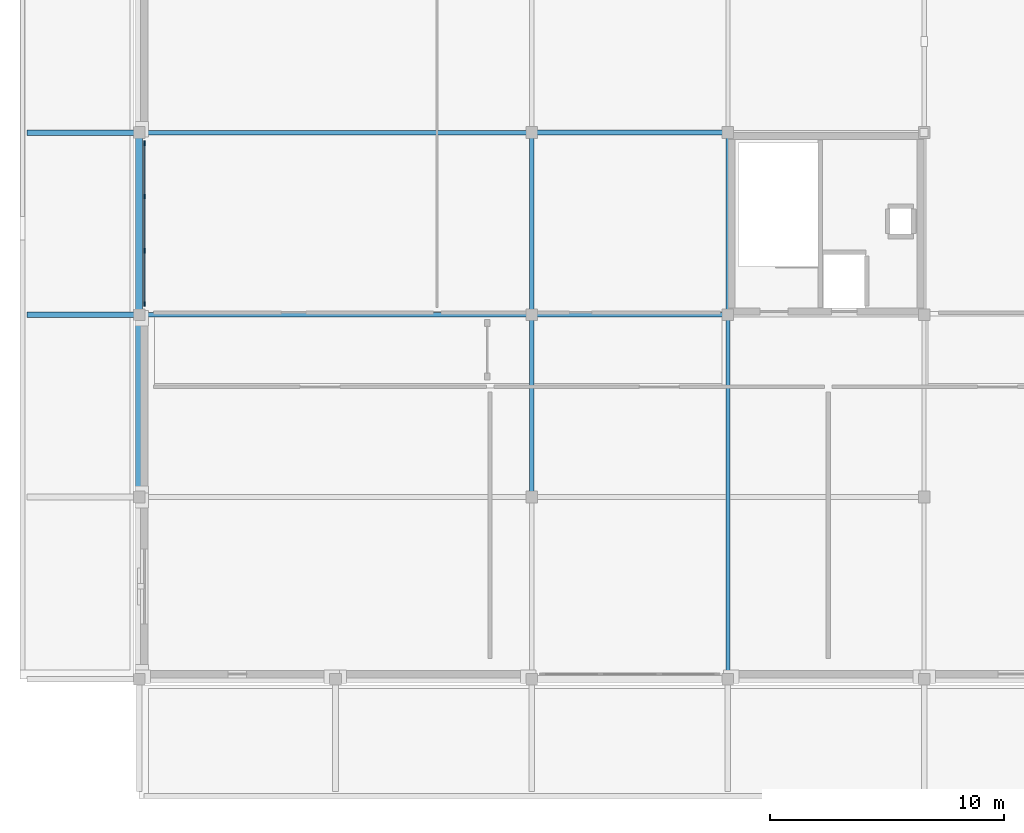
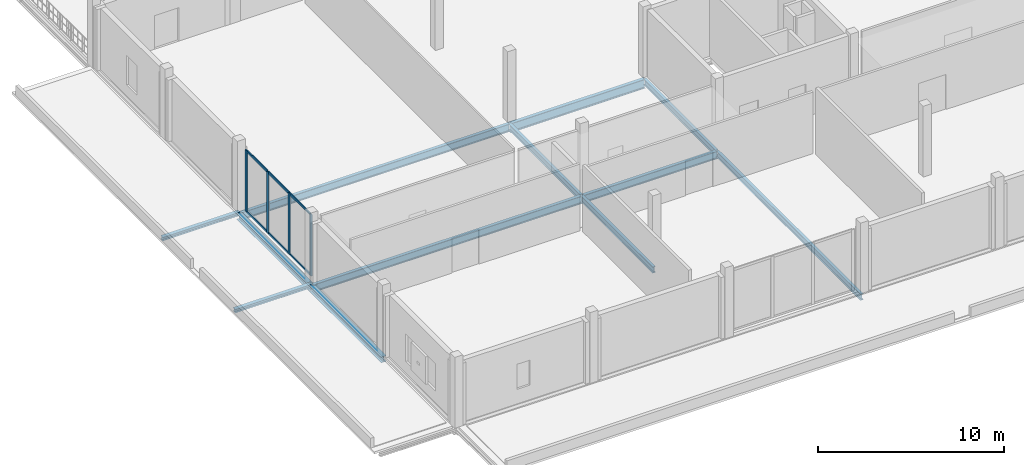
# One storey, part 25 of 98: 12 beams, 10 members, 1 element without a shape of its own.
"""IFC4 building model written with IfcOpenShell, lengths in metres."""

from ifc_helpers import new_model, si_unit, direction, frame, origin, origin_2d, place, context, subcontext, project, spatial, rectangle, i_section, extrude, material, material_profile, profile_set, type_object, element, aggregate, save


model = new_model("IFC4")

# Units and contexts
model_context = context("Model", 3, precision=1e-05, world=origin(), true_north=direction((0.0, 1.0)))
body_context = subcontext(model_context, "Body", "Model", "MODEL_VIEW")
ifc_project = project(units=[si_unit("LENGTHUNIT", "METRE"), si_unit("AREAUNIT", "SQUARE_METRE"), si_unit("VOLUMEUNIT", "CUBIC_METRE"), si_unit("PLANEANGLEUNIT", "RADIAN"), si_unit("MASSUNIT", "GRAM", prefix="KILO")], contexts=[model_context])

# Site, building, storey
site_placement = place(None, origin())
site = spatial("IfcSite", under=ifc_project, at=site_placement, CompositionType="ELEMENT")
building_placement = place(site_placement, origin())
building = spatial("IfcBuilding", under=site, at=building_placement, Name="Nabrawat Pavilion Hospital", CompositionType="ELEMENT")
storey_placement = place(building_placement, frame((0.0, 0.0, 10.199951171875)))
storey = spatial("IfcBuildingStorey", under=building, at=storey_placement, Name="L02", CompositionType="ELEMENT", Elevation=10.199951171875)

# Beams
ifc_material_1 = material(Name="Steel S355", Category="steel")
ifc_material_profile_1 = material_profile(ifc_material_1, i_section(OverallWidth=0.239990234375, OverallDepth=0.22998046875, WebThickness=0.007568359375, FlangeThickness=0.011962890625, FilletRadius=0.02099609375, at=origin_2d()), Name="HEA 240")
ifc_profile_set_1 = profile_set([ifc_material_profile_1], Name="Steel S355")
beam_type_1 = type_object("IfcBeamType", Name="Colonnade and Canopy Tie Beam HEA 240", PredefinedType="BEAM", material=ifc_profile_set_1)
for number, where, z_axis, x_axis, name in (
    (1, (-4.800048828125, 15.60009765625, -0.264892578125), (1.0, 0.0, 0.0), (0.0, 1.0, 0.0), "Ambulance Canopy Tie Beam 03"),
    (2, (-4.800048828125, 23.39990234375, -0.264892578125), (1.0, 0.0, 0.0), (0.0, 1.0, 0.0), "Ambulance Canopy Tie Beam 04"),
):
    element("IfcBeam", number, at=place(storey_placement, frame(where, z_axis=z_axis, x_axis=x_axis)), inside=storey, type_object=beam_type_1, Name=name, PredefinedType="BEAM", context=body_context, shape_type="SweptSolid", body=[
        extrude(i_section(OverallWidth=0.239990234375, OverallDepth=0.22998046875, WebThickness=0.007568359375, FlangeThickness=0.011962890625, FilletRadius=0.02099609375, at=origin_2d()), origin(), (0.0, 0.0, 1.0), 4.800048828125),
    ])

# Curtain wall, members
ifc_material_2 = material(Name="Anodised Aluminium", Category="aluminium")
curtain_wall_type = type_object("IfcCurtainWallType", Name="Emergency Concourse Glazed Screen", PredefinedType="USERDEFINED", material=ifc_material_2)
curtain_wall_placement = place(storey_placement, origin())
curtain_wall = element("IfcCurtainWall", 3, at=curtain_wall_placement, inside=storey, type_object=curtain_wall_type, Name="L02 Emergency Concourse Glazed Screen 095", ObjectType="CURTAIN WALL", PredefinedType="USERDEFINED")
ifc_material_profile_2 = material_profile(ifc_material_2, rectangle(XDim=0.070068359375, YDim=0.199951171875, at=origin_2d()), Name="CWM 70x200")
ifc_profile_set_2 = profile_set([ifc_material_profile_2], Name="Anodised Aluminium")
member_type_1 = type_object("IfcMemberType", Name="Emergency Concourse Glazed Screen Mullion CWM 70x200", PredefinedType="MULLION", material=ifc_profile_set_2)
member_1_placement = place(storey_placement, frame((0.219970703125, 16.054931640625, 0.0), z_axis=(0.0, 0.0, 1.0), x_axis=(-1.0, 0.0, 0.0)))
member_1 = element("IfcMember", 4, at=member_1_placement, type_object=member_type_1, Name="CW-ED-01 mullion 1", PredefinedType="MULLION", context=body_context, shape_type="SweptSolid", body=[
    extrude(rectangle(XDim=0.070068359375, YDim=0.199951171875, at=origin_2d()), origin(), (0.0, 0.0, 1.0), 4.0400390625),
])
member_2_placement = place(storey_placement, frame((0.219970703125, 18.340087890625, 0.0), z_axis=(0.0, 0.0, 1.0), x_axis=(-1.0, 0.0, 0.0)))
member_2 = element("IfcMember", 5, at=member_2_placement, type_object=member_type_1, Name="CW-ED-01 mullion 2", PredefinedType="MULLION", context=body_context, shape_type="SweptSolid", body=[
    extrude(rectangle(XDim=0.070068359375, YDim=0.199951171875, at=origin_2d()), origin(), (0.0, 0.0, 1.0), 4.0400390625),
])
member_3_placement = place(storey_placement, frame((0.219970703125, 20.659912109375, 0.0), z_axis=(0.0, 0.0, 1.0), x_axis=(-1.0, 0.0, 0.0)))
member_3 = element("IfcMember", 6, at=member_3_placement, type_object=member_type_1, Name="CW-ED-01 mullion 3", PredefinedType="MULLION", context=body_context, shape_type="SweptSolid", body=[
    extrude(rectangle(XDim=0.070068359375, YDim=0.199951171875, at=origin_2d()), origin(), (0.0, 0.0, 1.0), 4.0400390625),
])
member_4_placement = place(storey_placement, frame((0.219970703125, 22.945068359375, 0.0), z_axis=(0.0, 0.0, 1.0), x_axis=(-1.0, 0.0, 0.0)))
member_4 = element("IfcMember", 7, at=member_4_placement, type_object=member_type_1, Name="CW-ED-01 mullion 4", PredefinedType="MULLION", context=body_context, shape_type="SweptSolid", body=[
    extrude(rectangle(XDim=0.070068359375, YDim=0.199951171875, at=origin_2d()), origin(), (0.0, 0.0, 1.0), 4.0400390625),
])
ifc_material_profile_3 = material_profile(ifc_material_2, rectangle(XDim=0.070068359375, YDim=0.14990234375, at=origin_2d()), Name="CWT 70x150")
ifc_profile_set_3 = profile_set([ifc_material_profile_3], Name="Anodised Aluminium")
member_type_2 = type_object("IfcMemberType", Name="Emergency Concourse Glazed Screen Transom CWT 70x150", PredefinedType="USERDEFINED", material=ifc_profile_set_3)
member_5_placement = place(storey_placement, frame((0.219970703125, 16.090087890625, 0.03515625), z_axis=(0.0, 1.0, 0.0), x_axis=(-1.0, 0.0, 0.0)))
member_5 = element("IfcMember", 8, at=member_5_placement, type_object=member_type_2, Name="CW-ED-01 transom 1.1", ObjectType="TRANSOM", PredefinedType="USERDEFINED", context=body_context, shape_type="SweptSolid", body=[
    extrude(rectangle(XDim=0.070068359375, YDim=0.14990234375, at=origin_2d()), origin(), (0.0, 0.0, 1.0), 2.21484375),
])
member_6_placement = place(storey_placement, frame((0.219970703125, 16.090087890625, 4.005126953125), z_axis=(0.0, 1.0, 0.0), x_axis=(-1.0, 0.0, 0.0)))
member_6 = element("IfcMember", 9, at=member_6_placement, type_object=member_type_2, Name="CW-ED-01 transom 1.2", ObjectType="TRANSOM", PredefinedType="USERDEFINED", context=body_context, shape_type="SweptSolid", body=[
    extrude(rectangle(XDim=0.070068359375, YDim=0.14990234375, at=origin_2d()), origin(), (0.0, 0.0, 1.0), 2.21484375),
])
member_7_placement = place(storey_placement, frame((0.219970703125, 18.375, 0.03515625), z_axis=(0.0, 1.0, 0.0), x_axis=(-1.0, 0.0, 0.0)))
member_7 = element("IfcMember", 10, at=member_7_placement, type_object=member_type_2, Name="CW-ED-01 transom 2.1", ObjectType="TRANSOM", PredefinedType="USERDEFINED", context=body_context, shape_type="SweptSolid", body=[
    extrude(rectangle(XDim=0.070068359375, YDim=0.14990234375, at=origin_2d()), origin(), (0.0, 0.0, 1.0), 2.25),
])
member_8_placement = place(storey_placement, frame((0.219970703125, 18.375, 4.005126953125), z_axis=(0.0, 1.0, 0.0), x_axis=(-1.0, 0.0, 0.0)))
member_8 = element("IfcMember", 11, at=member_8_placement, type_object=member_type_2, Name="CW-ED-01 transom 2.2", ObjectType="TRANSOM", PredefinedType="USERDEFINED", context=body_context, shape_type="SweptSolid", body=[
    extrude(rectangle(XDim=0.070068359375, YDim=0.14990234375, at=origin_2d()), origin(), (0.0, 0.0, 1.0), 2.25),
])
member_9_placement = place(storey_placement, frame((0.219970703125, 20.695068359375, 0.03515625), z_axis=(0.0, 1.0, 0.0), x_axis=(-1.0, 0.0, 0.0)))
member_9 = element("IfcMember", 12, at=member_9_placement, type_object=member_type_2, Name="CW-ED-01 transom 3.1", ObjectType="TRANSOM", PredefinedType="USERDEFINED", context=body_context, shape_type="SweptSolid", body=[
    extrude(rectangle(XDim=0.070068359375, YDim=0.14990234375, at=origin_2d()), origin(), (0.0, 0.0, 1.0), 2.21484375),
])
member_10_placement = place(storey_placement, frame((0.219970703125, 20.695068359375, 4.005126953125), z_axis=(0.0, 1.0, 0.0), x_axis=(-1.0, 0.0, 0.0)))
member_10 = element("IfcMember", 13, at=member_10_placement, type_object=member_type_2, Name="CW-ED-01 transom 3.2", ObjectType="TRANSOM", PredefinedType="USERDEFINED", context=body_context, shape_type="SweptSolid", body=[
    extrude(rectangle(XDim=0.070068359375, YDim=0.14990234375, at=origin_2d()), origin(), (0.0, 0.0, 1.0), 2.21484375),
])
aggregate(curtain_wall, [member_1, member_2, member_3, member_4, member_5, member_6, member_7, member_8, member_9, member_10])

# Beams
ifc_material_profile_4 = material_profile(ifc_material_1, i_section(OverallWidth=0.300048828125, OverallDepth=0.389892578125, WebThickness=0.010986328125, FlangeThickness=0.01904296875, FilletRadius=0.027099609375, at=origin_2d()), Name="HEA 400")
ifc_profile_set_4 = profile_set([ifc_material_profile_4], Name="Steel S355")
beam_type_2 = type_object("IfcBeamType", Name="Perimeter Moment Spandrel Beam HEA 400", PredefinedType="SPANDREL", material=ifc_profile_set_4)
beam_1_placement = place(storey_placement, frame((0.0, 7.820068359375, -0.445068359375), z_axis=(0.0, 1.0, 0.0), x_axis=(-1.0, 0.0, 0.0)))
element("IfcBeam", 14, at=beam_1_placement, inside=storey, type_object=beam_type_2, Name="L02 Primary Y Beam 1173", PredefinedType="SPANDREL", context=body_context, shape_type="SweptSolid", body=[
    extrude(i_section(OverallWidth=0.300048828125, OverallDepth=0.389892578125, WebThickness=0.010986328125, FlangeThickness=0.01904296875, FilletRadius=0.027099609375, at=origin_2d()), origin(), (0.0, 0.0, 1.0), 7.760009765625),
])
beam_2_placement = place(storey_placement, frame((0.0, 15.6201171875, -0.445068359375), z_axis=(0.0, 1.0, 0.0), x_axis=(-1.0, 0.0, 0.0)))
element("IfcBeam", 15, at=beam_2_placement, inside=storey, type_object=beam_type_2, Name="L02 Primary Y Beam 1174", PredefinedType="SPANDREL", context=body_context, shape_type="SweptSolid", body=[
    extrude(i_section(OverallWidth=0.300048828125, OverallDepth=0.389892578125, WebThickness=0.010986328125, FlangeThickness=0.01904296875, FilletRadius=0.027099609375, at=origin_2d()), origin(), (0.0, 0.0, 1.0), 7.759765625),
])
ifc_material_profile_5 = material_profile(ifc_material_1, i_section(OverallWidth=0.199951171875, OverallDepth=0.5, WebThickness=0.01025390625, FlangeThickness=0.01611328125, FilletRadius=0.02099609375, at=origin_2d()), Name="IPE 500")
ifc_profile_set_5 = profile_set([ifc_material_profile_5], Name="Steel S355")
beam_type_3 = type_object("IfcBeamType", Name="Standard X Floor Girder IPE 500", PredefinedType="USERDEFINED", material=ifc_profile_set_5)
beam_3_placement = place(storey_placement, frame((0.02001953125, 15.60009765625, -0.5), z_axis=(1.0, 0.0, 0.0), x_axis=(0.0, 1.0, 0.0)))
element("IfcBeam", 16, at=beam_3_placement, inside=storey, type_object=beam_type_3, Name="L02 Primary X Girder 950", ObjectType="GIRDER", PredefinedType="USERDEFINED", context=body_context, shape_type="SweptSolid", body=[
    extrude(i_section(OverallWidth=0.199951171875, OverallDepth=0.5, WebThickness=0.01025390625, FlangeThickness=0.01611328125, FilletRadius=0.02099609375, at=origin_2d()), origin(), (0.0, 0.0, 1.0), 16.760009765625),
])
beam_4_placement = place(storey_placement, frame((16.820068359375, 15.60009765625, -0.5), z_axis=(1.0, 0.0, 0.0), x_axis=(0.0, 1.0, 0.0)))
element("IfcBeam", 17, at=beam_4_placement, inside=storey, type_object=beam_type_3, Name="L02 Primary X Girder 951", ObjectType="GIRDER", PredefinedType="USERDEFINED", context=body_context, shape_type="SweptSolid", body=[
    extrude(i_section(OverallWidth=0.199951171875, OverallDepth=0.5, WebThickness=0.01025390625, FlangeThickness=0.01611328125, FilletRadius=0.02099609375, at=origin_2d()), origin(), (0.0, 0.0, 1.0), 8.35986328125),
])
beam_5_placement = place(storey_placement, frame((0.02001953125, 23.39990234375, -0.5), z_axis=(1.0, 0.0, 0.0), x_axis=(0.0, 1.0, 0.0)))
element("IfcBeam", 18, at=beam_5_placement, inside=storey, type_object=beam_type_3, Name="L02 Primary X Girder 971", ObjectType="GIRDER", PredefinedType="USERDEFINED", context=body_context, shape_type="SweptSolid", body=[
    extrude(i_section(OverallWidth=0.199951171875, OverallDepth=0.5, WebThickness=0.01025390625, FlangeThickness=0.01611328125, FilletRadius=0.02099609375, at=origin_2d()), origin(), (0.0, 0.0, 1.0), 16.760009765625),
])
ifc_material_profile_6 = material_profile(ifc_material_1, i_section(OverallWidth=0.179931640625, OverallDepth=0.39990234375, WebThickness=0.008544921875, FlangeThickness=0.013427734375, FilletRadius=0.02099609375, at=origin_2d()), Name="IPE 400")
ifc_profile_set_6 = profile_set([ifc_material_profile_6], Name="Steel S355")
beam_type_4 = type_object("IfcBeamType", Name="Standard Y Floor Beam IPE 400", PredefinedType="BEAM", material=ifc_profile_set_6)
beam_6_placement = place(storey_placement, frame((16.800048828125, 7.820068359375, -0.449951171875), z_axis=(0.0, 1.0, 0.0), x_axis=(-1.0, 0.0, 0.0)))
element("IfcBeam", 19, at=beam_6_placement, inside=storey, type_object=beam_type_4, Name="L02 Primary Y Beam 1188", PredefinedType="BEAM", context=body_context, shape_type="SweptSolid", body=[
    extrude(i_section(OverallWidth=0.179931640625, OverallDepth=0.39990234375, WebThickness=0.008544921875, FlangeThickness=0.013427734375, FilletRadius=0.02099609375, at=origin_2d()), origin(), (0.0, 0.0, 1.0), 7.760009765625),
])
beam_7_placement = place(storey_placement, frame((16.800048828125, 15.6201171875, -0.449951171875), z_axis=(0.0, 1.0, 0.0), x_axis=(-1.0, 0.0, 0.0)))
element("IfcBeam", 20, at=beam_7_placement, inside=storey, type_object=beam_type_4, Name="L02 Primary Y Beam 1189", PredefinedType="BEAM", context=body_context, shape_type="SweptSolid", body=[
    extrude(i_section(OverallWidth=0.179931640625, OverallDepth=0.39990234375, WebThickness=0.008544921875, FlangeThickness=0.013427734375, FilletRadius=0.02099609375, at=origin_2d()), origin(), (0.0, 0.0, 1.0), 7.759765625),
])
beam_8_placement = place(storey_placement, frame((25.199951171875, 0.02001953125, -0.449951171875), z_axis=(0.0, 1.0, 0.0), x_axis=(-1.0, 0.0, 0.0)))
element("IfcBeam", 21, at=beam_8_placement, inside=storey, type_object=beam_type_4, Name="L02 Primary Y Beam 1202", PredefinedType="BEAM", context=body_context, shape_type="SweptSolid", body=[
    extrude(i_section(OverallWidth=0.179931640625, OverallDepth=0.39990234375, WebThickness=0.008544921875, FlangeThickness=0.013427734375, FilletRadius=0.02099609375, at=origin_2d()), origin(), (0.0, 0.0, 1.0), 15.56005859375),
])
beam_9_placement = place(storey_placement, frame((25.199951171875, 15.6201171875, -0.449951171875), z_axis=(0.0, 1.0, 0.0), x_axis=(-1.0, 0.0, 0.0)))
element("IfcBeam", 22, at=beam_9_placement, inside=storey, type_object=beam_type_4, Name="L02 Primary Y Beam 1203", PredefinedType="BEAM", context=body_context, shape_type="SweptSolid", body=[
    extrude(i_section(OverallWidth=0.179931640625, OverallDepth=0.39990234375, WebThickness=0.008544921875, FlangeThickness=0.013427734375, FilletRadius=0.02099609375, at=origin_2d()), origin(), (0.0, 0.0, 1.0), 7.759765625),
])
ifc_material_profile_7 = material_profile(ifc_material_1, i_section(OverallWidth=0.219970703125, OverallDepth=0.60009765625, WebThickness=0.011962890625, FlangeThickness=0.01904296875, FilletRadius=0.02392578125, at=origin_2d()), Name="IPE 600")
ifc_profile_set_7 = profile_set([ifc_material_profile_7], Name="Steel S355")
beam_type_5 = type_object("IfcBeamType", Name="Wide-Bay Floor Girder IPE 600", PredefinedType="USERDEFINED", material=ifc_profile_set_7)
beam_10_placement = place(storey_placement, frame((16.820068359375, 23.39990234375, -0.550048828125), z_axis=(1.0, 0.0, 0.0), x_axis=(0.0, 1.0, 0.0)))
element("IfcBeam", 23, at=beam_10_placement, inside=storey, type_object=beam_type_5, Name="L02 Primary X Girder 972", ObjectType="GIRDER", PredefinedType="USERDEFINED", context=body_context, shape_type="SweptSolid", body=[
    extrude(i_section(OverallWidth=0.219970703125, OverallDepth=0.60009765625, WebThickness=0.011962890625, FlangeThickness=0.01904296875, FilletRadius=0.02392578125, at=origin_2d()), origin(), (0.0, 0.0, 1.0), 8.35986328125),
])

save(model, "model.ifc")
